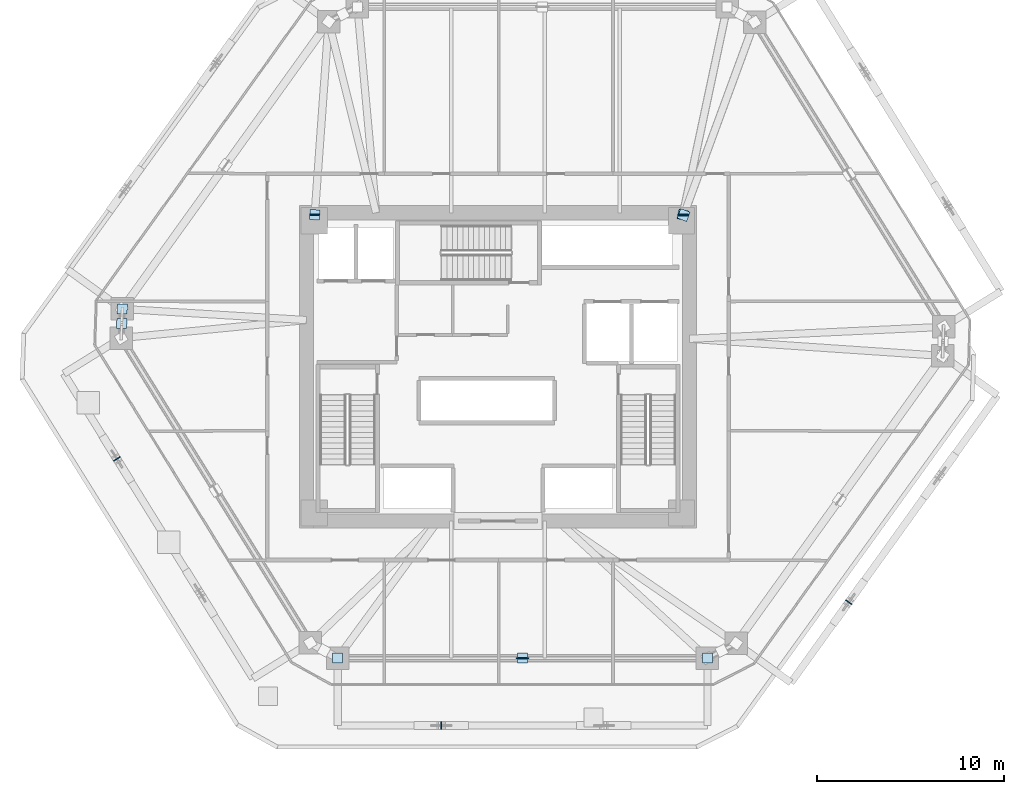
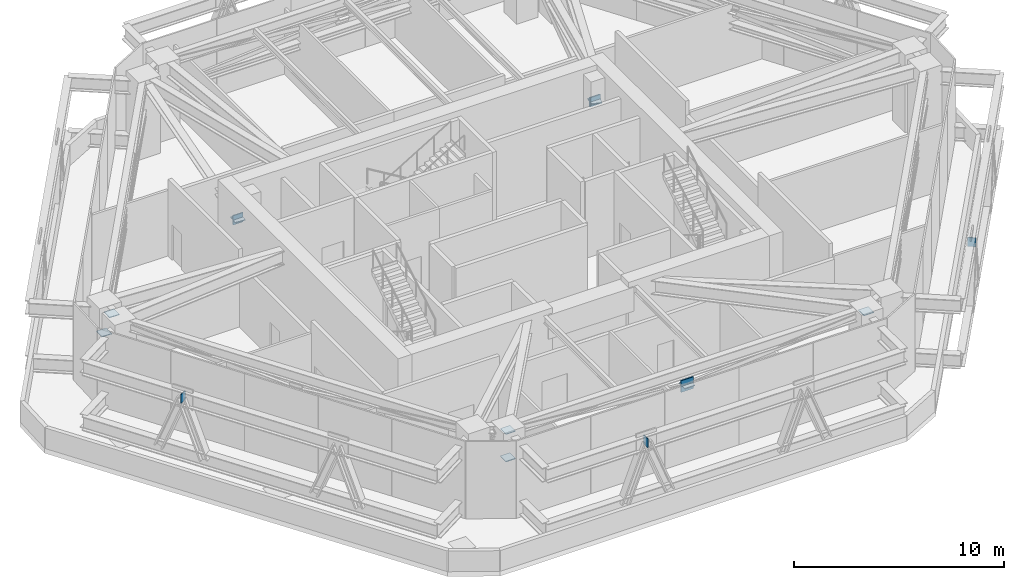
# One storey, part 5 of 10: 16 plates.
"""IFC4 building model written with IfcOpenShell, lengths in metres."""

from ifc_helpers import new_model, si_unit, direction, frame, origin, origin_2d, place, context, subcontext, project, spatial, rectangle, extrude, source, transform, mapped, material, layer, layer_set, type_object, type_shapes, element, save


model = new_model("IFC4")

# Units and contexts
model_context = context("Model", 3, precision=1e-05, world=origin(), true_north=direction((0.0, 1.0)))
body_context = subcontext(model_context, "Body", "Model", "MODEL_VIEW")
ifc_project = project(units=[si_unit("LENGTHUNIT", "METRE"), si_unit("AREAUNIT", "SQUARE_METRE"), si_unit("VOLUMEUNIT", "CUBIC_METRE"), si_unit("PLANEANGLEUNIT", "RADIAN"), si_unit("MASSUNIT", "GRAM", prefix="KILO")], contexts=[model_context])

# Site, building, storey
site_placement = place(None, origin())
site = spatial("IfcSite", under=ifc_project, at=site_placement, CompositionType="ELEMENT")
building_placement = place(site_placement, origin())
building = spatial("IfcBuilding", under=site, at=building_placement, Name="Durnholm Broadcast Tower", CompositionType="ELEMENT")
storey_placement = place(building_placement, frame((0.0, 0.0, 88.5)))
storey = spatial("IfcBuildingStorey", under=building, at=storey_placement, Name="L23", CompositionType="ELEMENT", Elevation=88.5)

# Plates
ifc_material_1 = material(Name="Steel ASTM A572 Grade 50", Category="steel")
ifc_layer_1 = layer(ifc_material_1, 0.0400390625)
ifc_layer_set_1 = layer_set([ifc_layer_1], Name="Steel ASTM A572 Grade 50")
plate_type_1 = type_object("IfcPlateType", Name="PLT-KN-CAP", PredefinedType="USERDEFINED", material=ifc_layer_set_1)
shared_shape_1 = source(origin(), body_context, "Body", "SweptSolid", [
    extrude(rectangle(XDim=0.5400390625, YDim=0.5400390625, at=origin_2d()), origin(), (0.0, 0.0, 1.0), 0.0400390625),
])
type_shapes(plate_type_1, [shared_shape_1])
for number, where, z_axis, x_axis, name in (
    (1, (-20.050048828125, 3.091064453125, 2.530029296875), (0.0, 0.0, 1.0), (0.033852918131, 0.999426825703, 0.0), "L23 hollow section end cap plate BT-CH-L23-02 2"),
    (2, (-20.076416015625, 2.31640625, 4.1298828125), (0.0, 0.0, 1.0), (0.033852918131, 0.999426825703, 0.0), "L23 hollow section end cap plate BT-BR-L23-02-1 2"),
    (3, (-8.552001953125, -15.537109375, 2.530029296875), (0.0, 0.0, 1.0), (-1.0, 0.0, 0.0), "L23 hollow section end cap plate BT-CH-L23-11 2"),
    (4, (-8.552001953125, -15.537109375, 4.1298828125), (0.0, 0.0, 1.0), (-1.0, 0.0, 0.0), "L23 hollow section end cap plate BT-XCONT-L23-11 2"),
    (5, (1.31201171875, -15.537109375, 3.330078125), (0.0, 0.0, 1.0), (1.0, 0.0, 0.0), "L23 hollow section end cap plate BT-XSPLIT-L23-11-1 2"),
    (6, (11.176025390625, -15.537109375, 4.1298828125), (0.0, 0.0, 1.0), (1.0, 0.0, 0.0), "L23 hollow section end cap plate BT-XSPLIT-L23-11-2 2"),
    (7, (-9.77685546875, 8.119140625, 2.530029296875), (0.0, 0.0, 1.0), (0.072019693281, 0.997403210231, 0.0), "L23 hollow section end cap plate OUT-STR-L23-04 1"),
    (8, (9.86669921875, 8.113037109375, 2.530029296875), (0.0, 0.0, 1.0), (0.208253116068, 0.978074966272, 0.0), "L23 hollow section end cap plate OUT-STR-L23-06 1"),
    (9, (9.910400390625, 8.100341796875, 2.530029296875), (0.0, 0.0, 1.0), (0.344642923175, 0.938733857654, 0.0), "L23 hollow section end cap plate OUT-STR-L23-07 1"),
):
    element("IfcPlate", number, at=place(storey_placement, frame(where, z_axis=z_axis, x_axis=x_axis)), inside=storey, type_object=plate_type_1, Name=name, ObjectType="CAP_PLATE", PredefinedType="USERDEFINED", context=body_context, shape_type="MappedRepresentation", body=[
        mapped(shared_shape_1, transform((0.0, 0.0, 0.0), x_axis=(1.0, 0.0, 0.0), y_axis=(0.0, 1.0, 0.0), z_axis=(0.0, 0.0, 1.0), scale=1.0)),
    ])
ifc_material_2 = material(Name="ASTM A572 Grade 50 Steel", Category="steel")
ifc_layer_2 = layer(ifc_material_2, 0.06005859375)
ifc_layer_set_2 = layer_set([ifc_layer_2], Name="ASTM A572 Grade 50 Steel")
plate_type_2 = type_object("IfcPlateType", Name="PLT-KN-X1", PredefinedType="USERDEFINED", material=ifc_layer_set_2)
shared_shape_2 = source(origin(), body_context, "Body", "SweptSolid", [
    extrude(rectangle(XDim=0.679931640625, YDim=0.06005859375, at=origin_2d()), origin(), (0.0, 0.0, 1.0), 0.679931640625),
])
type_shapes(plate_type_2, [shared_shape_2])
plate_placement = place(storey_placement, frame((1.31201171875, -15.537109375, 3.01025390625), z_axis=(0.0, 0.0, 1.0), x_axis=(-1.0, 0.0, 0.0)))
element("IfcPlate", 10, at=plate_placement, inside=storey, type_object=plate_type_2, Name="L23 belt-truss X-brace crossing gusset plate 11", ObjectType="GUSSET_PLATE", PredefinedType="USERDEFINED", context=body_context, shape_type="MappedRepresentation", body=[
    mapped(shared_shape_2, transform((0.0, 0.0, 0.0), x_axis=(1.0, 0.0, 0.0), y_axis=(0.0, 1.0, 0.0), z_axis=(0.0, 0.0, 1.0), scale=1.0)),
])
ifc_layer_3 = layer(ifc_material_1, 0.044921875)
ifc_layer_set_3 = layer_set([ifc_layer_3], Name="Steel ASTM A572 Grade 50")
plate_type_3 = type_object("IfcPlateType", Name="PLT-KN-STIF", PredefinedType="SHEET", material=ifc_layer_set_3)
shared_shape_3 = source(origin(), body_context, "Body", "SweptSolid", [
    extrude(rectangle(XDim=0.550048828125, YDim=0.06005859375, at=origin_2d()), origin(), (0.0, 0.0, 1.0), 0.550048828125),
])
for number, where, z_axis, x_axis, name in (
    (11, (-9.77685546875, 8.119140625, 2.27490234375), (0.0, 0.0, 1.0), (1.0, 0.0, 0.0), "L23 core wall cast-in outrigger embedment plate 04"),
    (12, (9.86669921875, 8.113037109375, 2.27490234375), (0.0, 0.0, 1.0), (1.0, 0.0, 0.0), "L23 core wall cast-in outrigger embedment plate 06"),
    (13, (9.910400390625, 8.100341796875, 2.27490234375), (0.0, 0.0, 1.0), (1.0, 0.0, 0.0), "L23 core wall cast-in outrigger embedment plate 07"),
):
    element("IfcPlate", number, at=place(storey_placement, frame(where, z_axis=z_axis, x_axis=x_axis)), inside=storey, type_object=plate_type_3, Name=name, ObjectType="GUSSET_PLATE", PredefinedType="USERDEFINED", context=body_context, shape_type="MappedRepresentation", body=[
        mapped(shared_shape_3, transform((0.0, 0.0, 0.0), x_axis=(1.0, 0.0, 0.0), y_axis=(0.0, 1.0, 0.0), z_axis=(0.0, 0.0, 1.0), scale=1.0)),
    ])
shared_shape_4 = source(origin(), body_context, "Body", "SweptSolid", [
    extrude(rectangle(XDim=0.044921875, YDim=0.419921875, at=origin_2d()), origin(), (0.0, 0.0, 1.0), 0.52001953125),
])
type_shapes(plate_type_3, [shared_shape_3, shared_shape_4])
for number, where, z_axis, x_axis, name in (
    (14, (-3.028076171875, -19.136962890625, 3.488525390625), (0.0, 0.0, 1.0), (1.0, 0.0, 0.0), "L23 welded diagrid node stiffener plate F1"),
    (15, (18.71875, -12.556396484375, 3.488525390625), (0.0, 0.0, 1.0), (0.583399467156, 0.812185361677, 0.0), "L23 welded diagrid node stiffener plate F2"),
    (16, (-20.337158203125, -4.910400390625, 3.488525390625), (0.0, 0.0, 1.0), (0.527104121728, -0.849800708906, 0.0), "L23 welded diagrid node stiffener plate F6"),
):
    element("IfcPlate", number, at=place(storey_placement, frame(where, z_axis=z_axis, x_axis=x_axis)), inside=storey, type_object=plate_type_3, Name=name, PredefinedType="SHEET", context=body_context, shape_type="MappedRepresentation", body=[
        mapped(shared_shape_4, transform((0.0, 0.0, 0.0), x_axis=(1.0, 0.0, 0.0), y_axis=(0.0, 1.0, 0.0), z_axis=(0.0, 0.0, 1.0), scale=1.0)),
    ])

save(model, "model.ifc")
